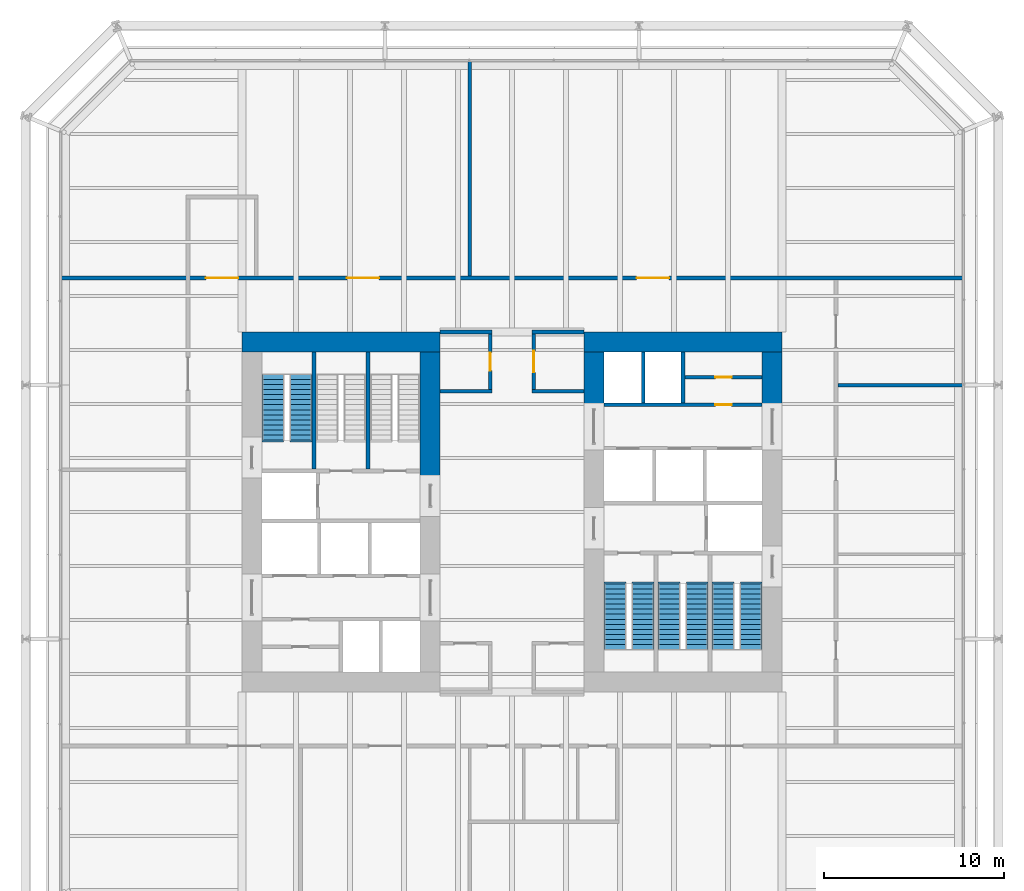
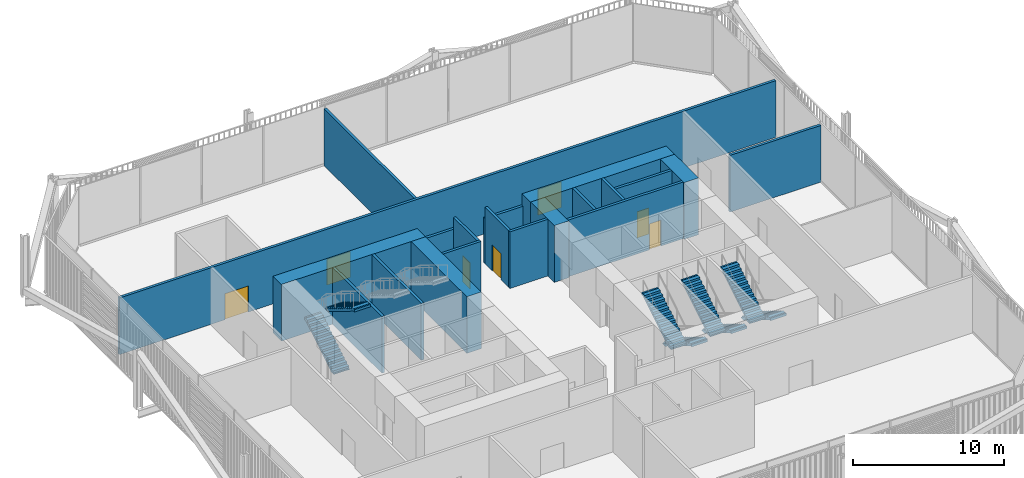
# One storey, part 20 of 22: 20 walls, 8 stair flights, 7 doors, 7 openings, 4 elements without a shape of their own.
"""IFC4 building model written with IfcOpenShell, lengths in metres."""

from ifc_helpers import new_model, si_unit, direction, frame, frame_2d, origin, place, context, subcontext, project, spatial, polyline, rectangle, outline, extrude, material, layer, layer_set, type_object, element, fill, aggregate, save


model = new_model("IFC4")

# Units and contexts
model_context = context("Model", 3, precision=1e-05, world=origin(), true_north=direction((0.0, 1.0)))
body_context = subcontext(model_context, "Body", "Model", "MODEL_VIEW")
ifc_project = project(units=[si_unit("LENGTHUNIT", "METRE"), si_unit("AREAUNIT", "SQUARE_METRE"), si_unit("VOLUMEUNIT", "CUBIC_METRE"), si_unit("PLANEANGLEUNIT", "RADIAN"), si_unit("MASSUNIT", "GRAM", prefix="KILO")], contexts=[model_context])

# Site, building, storey
site_placement = place(None, origin())
site = spatial("IfcSite", under=ifc_project, at=site_placement, CompositionType="ELEMENT")
building_placement = place(site_placement, origin())
building = spatial("IfcBuilding", under=site, at=building_placement, Name="Millrace Tower", CompositionType="ELEMENT")
storey_placement = place(building_placement, frame((0.0, 0.0, 30.5)))
storey = spatial("IfcBuildingStorey", under=building, at=storey_placement, Name="L07", CompositionType="ELEMENT", Elevation=30.5)

# Walls
ifc_material_1 = material(Name="Concrete C80", Category="concrete")
ifc_layer_1 = layer(ifc_material_1, 1.10009765625)
ifc_layer_set_1 = layer_set([ifc_layer_1], Name="Concrete C80")
wall_type_1 = type_object("IfcWallType", Name="Core wall 1100 Concrete C80", PredefinedType="SHEAR", material=ifc_layer_set_1)
wall_1_placement = place(storey_placement, frame((-15.0, 9.449951171875, 0.0), z_axis=(0.0, 0.0, 1.0), x_axis=(1.0, 0.0, 0.0)))
element("IfcWall", 1, at=wall_1_placement, inside=storey, type_object=wall_type_1, Name="Core wall W L07", PredefinedType="SHEAR", context=body_context, shape_type="SweptSolid", body=[
    extrude(rectangle(XDim=11.0, YDim=1.10009765625, at=frame_2d((5.5, 0.0))), origin(), (0.0, 0.0, 1.0), 4.574951171875),
])
wall_2_placement = place(storey_placement, frame((-4.550048828125, 1.550048828125, 0.0), z_axis=(0.0, 0.0, 1.0), x_axis=(0.0, 1.0, 0.0)))
element("IfcWall", 2, at=wall_2_placement, inside=storey, type_object=wall_type_1, Name="Core wall W L07", PredefinedType="SHEAR", context=body_context, shape_type="SweptSolid", body=[
    extrude(rectangle(XDim=7.349853515625, YDim=1.10009765625, at=frame_2d((3.6748046875, 0.0))), origin(), (0.0, 0.0, 1.0), 4.574951171875),
])
wall_3_placement = place(storey_placement, frame((15.0, 9.449951171875, 0.0), z_axis=(0.0, 0.0, 1.0), x_axis=(-1.0, 0.0, 0.0)))
element("IfcWall", 3, at=wall_3_placement, inside=storey, type_object=wall_type_1, Name="Core wall E L07", PredefinedType="SHEAR", context=body_context, shape_type="SweptSolid", body=[
    extrude(rectangle(XDim=11.0, YDim=1.10009765625, at=frame_2d((5.5, 0.0))), origin(), (0.0, 0.0, 1.0), 4.574951171875),
])
for number, where, z_axis, x_axis, name in (
    (4, (14.449951171875, 8.89990234375, 0.0), (0.0, 0.0, 1.0), (0.0, -1.0, 0.0), "Core wall E L07"),
    (5, (4.550048828125, 8.89990234375, 0.0), (0.0, 0.0, 1.0), (0.0, -1.0, 0.0), "Core wall E L07"),
):
    element("IfcWall", number, at=place(storey_placement, frame(where, z_axis=z_axis, x_axis=x_axis)), inside=storey, type_object=wall_type_1, Name=name, PredefinedType="SHEAR", context=body_context, shape_type="SweptSolid", body=[
        extrude(rectangle(XDim=3.14990234375, YDim=1.10009765625, at=frame_2d((1.574951171875, 0.0))), origin(), (0.0, 0.0, 1.0), 4.574951171875),
    ])
ifc_material_2 = material(Name="Masonry partition, fire-rated", Category="masonry")
ifc_layer_2 = layer(ifc_material_2, 0.199951171875)
ifc_layer_set_2 = layer_set([ifc_layer_2], Name="Masonry partition, fire-rated")
wall_type_2 = type_object("IfcWallType", Name="Corridor wall 200", PredefinedType="PARTITIONING", material=ifc_layer_set_2)
for number, where, z_axis, x_axis, name in (
    (6, (-4.0, 6.699951171875, 0.0), (0.0, 0.0, 1.0), (1.0, 0.0, 0.0), "Corridor wall L07"),
    (7, (1.10009765625, 6.699951171875, 0.0), (0.0, 0.0, 1.0), (1.0, 0.0, 0.0), "Corridor wall L07"),
):
    element("IfcWall", number, at=place(storey_placement, frame(where, z_axis=z_axis, x_axis=x_axis)), inside=storey, type_object=wall_type_2, Name=name, PredefinedType="PARTITIONING", context=body_context, shape_type="SweptSolid", body=[
        extrude(rectangle(XDim=2.89990234375, YDim=0.199951171875, at=frame_2d((1.449951171875, 0.0))), origin(), (0.0, 0.0, 1.0), 4.574951171875),
    ])
wall_4_placement = place(storey_placement, frame((18.10009765625, 7.050048828125, 0.0), z_axis=(0.0, 0.0, 1.0), x_axis=(1.0, 0.0, 0.0)))
element("IfcWall", 8, at=wall_4_placement, inside=storey, type_object=wall_type_2, Name="Corridor wall L07", PredefinedType="PARTITIONING", context=body_context, shape_type="SweptSolid", body=[
    extrude(rectangle(XDim=6.929931640625, YDim=0.199951171875, at=frame_2d((3.46484375, 0.0))), origin(), (0.0, 0.0, 1.0), 4.574951171875),
])
for number, where, z_axis, x_axis, name in (
    (9, (-4.0, 10.0, 0.0), (0.0, 0.0, 1.0), (1.0, 0.0, 0.0), "Corridor wall L07"),
    (10, (1.10009765625, 10.0, 0.0), (0.0, 0.0, 1.0), (1.0, 0.0, 0.0), "Corridor wall L07"),
):
    element("IfcWall", number, at=place(storey_placement, frame(where, z_axis=z_axis, x_axis=x_axis)), inside=storey, type_object=wall_type_2, Name=name, PredefinedType="PARTITIONING", context=body_context, shape_type="SweptSolid", body=[
        extrude(rectangle(XDim=2.89990234375, YDim=0.199951171875, at=frame_2d((1.449951171875, 0.0))), origin(), (0.0, 0.0, 1.0), 3.627685546875),
    ])

# Wall, openings, doors
wall_5_placement = place(storey_placement, frame((-25.030029296875, 13.0, 0.0), z_axis=(0.0, 0.0, 1.0), x_axis=(1.0, 0.0, 0.0)))
wall_5 = element("IfcWall", 11, at=wall_5_placement, inside=storey, type_object=wall_type_2, Name="Corridor wall L07", PredefinedType="PARTITIONING", context=body_context, shape_type="SweptSolid", body=[
    extrude(rectangle(XDim=50.06005859375, YDim=0.199951171875, at=frame_2d((25.030029296875, 0.0))), origin(), (0.0, 0.0, 1.0), 4.574951171875),
])
opening_1_placement = place(wall_5_placement, frame((15.85498046875, 0.0, 0.0)))
opening_1 = element("IfcOpeningElement", 12, at=opening_1_placement, cuts=wall_5, Name="Opening 07-P011", PredefinedType="OPENING", context=body_context, shape_type="SweptSolid", body=[
    extrude(rectangle(XDim=1.800048828125, YDim=2.10009765625, at=frame_2d((0.89990234375, 1.050048828125))), frame((0.0, 0.10986328125, 0.0), z_axis=(0.0, -1.0, 0.0), x_axis=(1.0, 0.0, 0.0)), (0.0, 0.0, 1.0), 0.219970703125),
])
opening_2_placement = place(wall_5_placement, frame((8.030029296875, 0.0, 0.0)))
opening_2 = element("IfcOpeningElement", 13, at=opening_2_placement, cuts=wall_5, Name="Opening 07-P012", PredefinedType="OPENING", context=body_context, shape_type="SweptSolid", body=[
    extrude(rectangle(XDim=1.800048828125, YDim=2.10009765625, at=frame_2d((0.89990234375, 1.050048828125))), frame((0.0, 0.10986328125, 0.0), z_axis=(0.0, -1.0, 0.0), x_axis=(1.0, 0.0, 0.0)), (0.0, 0.0, 1.0), 0.219970703125),
])
opening_3_placement = place(wall_5_placement, frame((31.9599609375, 0.0, 0.0)))
opening_3 = element("IfcOpeningElement", 14, at=opening_3_placement, cuts=wall_5, Name="Opening 07-P013", PredefinedType="OPENING", context=body_context, shape_type="SweptSolid", body=[
    extrude(rectangle(XDim=1.800048828125, YDim=2.10009765625, at=frame_2d((0.89990234375, 1.050048828125))), frame((0.0, 0.10986328125, 0.0), z_axis=(0.0, -1.0, 0.0), x_axis=(1.0, 0.0, 0.0)), (0.0, 0.0, 1.0), 0.219970703125),
])
ifc_material_3 = material(Name="Steel door set, fire-rated", Category="steel")
door_type_1 = type_object("IfcDoorType", Name="Data hall door 1800 x 2100", OperationType="DOUBLE_DOOR_SINGLE_SWING", PredefinedType="DOOR", material=ifc_material_3)
door_1_placement = place(opening_1_placement, origin())
door_1 = element("IfcDoor", 15, at=door_1_placement, inside=storey, type_object=door_type_1, Name="Door 07-P011", OperationType="DOUBLE_DOOR_SINGLE_SWING", OverallHeight=2.10009765625, OverallWidth=1.800048828125, PredefinedType="DOOR", context=body_context, shape_type="SweptSolid", body=[
    extrude(rectangle(XDim=1.800048828125, YDim=2.10009765625, at=frame_2d((0.89990234375, 1.050048828125))), frame((0.0, 0.02490234375, 0.0), z_axis=(0.0, -1.0, 0.0), x_axis=(1.0, 0.0, 0.0)), (0.0, 0.0, 1.0), 0.050048828125),
])
fill(opening_1, door_1)
door_2_placement = place(opening_2_placement, origin())
door_2 = element("IfcDoor", 16, at=door_2_placement, inside=storey, type_object=door_type_1, Name="Door 07-P012", OperationType="DOUBLE_DOOR_SINGLE_SWING", OverallHeight=2.10009765625, OverallWidth=1.800048828125, PredefinedType="DOOR", context=body_context, shape_type="SweptSolid", body=[
    extrude(rectangle(XDim=1.800048828125, YDim=2.10009765625, at=frame_2d((0.89990234375, 1.050048828125))), frame((0.0, 0.02490234375, 0.0), z_axis=(0.0, -1.0, 0.0), x_axis=(1.0, 0.0, 0.0)), (0.0, 0.0, 1.0), 0.050048828125),
])
fill(opening_2, door_2)
door_3_placement = place(opening_3_placement, origin())
door_3 = element("IfcDoor", 17, at=door_3_placement, inside=storey, type_object=door_type_1, Name="Door 07-P013", OperationType="DOUBLE_DOOR_SINGLE_SWING", OverallHeight=2.10009765625, OverallWidth=1.800048828125, PredefinedType="DOOR", context=body_context, shape_type="SweptSolid", body=[
    extrude(rectangle(XDim=1.800048828125, YDim=2.10009765625, at=frame_2d((0.89990234375, 1.050048828125))), frame((0.0, 0.02490234375, 0.0), z_axis=(0.0, -1.0, 0.0), x_axis=(1.0, 0.0, 0.0)), (0.0, 0.0, 1.0), 0.050048828125),
])
fill(opening_3, door_3)

# Wall, opening, door
wall_6_placement = place(storey_placement, frame((1.199951171875, 6.800048828125, 0.0), z_axis=(0.0, 0.0, 1.0), x_axis=(0.0, 1.0, 0.0)))
wall_6 = element("IfcWall", 18, at=wall_6_placement, inside=storey, type_object=wall_type_2, Name="Corridor wall L07", PredefinedType="PARTITIONING", context=body_context, shape_type="SweptSolid", body=[
    extrude(rectangle(XDim=3.099853515625, YDim=0.199951171875, at=frame_2d((1.5498046875, 0.0))), origin(), (0.0, 0.0, 1.0), 4.574951171875),
])
opening_4_placement = place(wall_6_placement, frame((0.949951171875, 0.0, 0.0)))
opening_4 = element("IfcOpeningElement", 19, at=opening_4_placement, cuts=wall_6, Name="Opening 07-P002", PredefinedType="OPENING", context=body_context, shape_type="SweptSolid", body=[
    extrude(rectangle(XDim=1.199951171875, YDim=2.10009765625, at=frame_2d((0.60009765625, 1.050048828125))), frame((0.0, 0.10986328125, 0.0), z_axis=(0.0, -1.0, 0.0), x_axis=(1.0, 0.0, 0.0)), (0.0, 0.0, 1.0), 0.219970703125),
])
ifc_material_4 = material(Name="Steel door set, fire-rated", Category="steel")
door_type_2 = type_object("IfcDoorType", Name="Corridor door 1200 x 2100", OperationType="SINGLE_SWING_LEFT", PredefinedType="DOOR", material=ifc_material_4)
door_4_placement = place(opening_4_placement, frame((1.199951171875, 0.0, 0.0), z_axis=(0.0, 0.0, 1.0), x_axis=(-1.0, 0.0, 0.0)))
door_4 = element("IfcDoor", 20, at=door_4_placement, inside=storey, type_object=door_type_2, Name="Door 07-P002", OperationType="SINGLE_SWING_LEFT", OverallHeight=2.10009765625, OverallWidth=1.199951171875, PredefinedType="DOOR", context=body_context, shape_type="SweptSolid", body=[
    extrude(rectangle(XDim=1.199951171875, YDim=2.10009765625, at=frame_2d((0.60009765625, 1.050048828125))), frame((0.0, 0.02490234375, 0.0), z_axis=(0.0, -1.0, 0.0), x_axis=(1.0, 0.0, 0.0)), (0.0, 0.0, 1.0), 0.050048828125),
])
fill(opening_4, door_4)

wall_7_placement = place(storey_placement, frame((-1.199951171875, 6.800048828125, 0.0), z_axis=(0.0, 0.0, 1.0), x_axis=(0.0, 1.0, 0.0)))
wall_7 = element("IfcWall", 21, at=wall_7_placement, inside=storey, type_object=wall_type_2, Name="Corridor wall L07", PredefinedType="PARTITIONING", context=body_context, shape_type="SweptSolid", body=[
    extrude(rectangle(XDim=3.099853515625, YDim=0.199951171875, at=frame_2d((1.5498046875, 0.0))), origin(), (0.0, 0.0, 1.0), 4.574951171875),
])
opening_5_placement = place(wall_7_placement, frame((1.050048828125, 0.0, 0.0)))
opening_5 = element("IfcOpeningElement", 22, at=opening_5_placement, cuts=wall_7, Name="Opening 07-P001", PredefinedType="OPENING", context=body_context, shape_type="SweptSolid", body=[
    extrude(rectangle(XDim=1.0, YDim=2.10009765625, at=frame_2d((0.5, 1.050048828125))), frame((0.0, 0.10986328125, 0.0), z_axis=(0.0, -1.0, 0.0), x_axis=(1.0, 0.0, 0.0)), (0.0, 0.0, 1.0), 0.219970703125),
])
ifc_material_5 = material(Name="Steel door set, fire-rated", Category="steel")
door_type_3 = type_object("IfcDoorType", Name="Corridor door 1000 x 2100", OperationType="SINGLE_SWING_LEFT", PredefinedType="DOOR", material=ifc_material_5)
door_5_placement = place(opening_5_placement, origin())
door_5 = element("IfcDoor", 23, at=door_5_placement, inside=storey, type_object=door_type_3, Name="Door 07-P001", OperationType="SINGLE_SWING_RIGHT", OverallHeight=2.10009765625, OverallWidth=1.0, PredefinedType="DOOR", context=body_context, shape_type="SweptSolid", body=[
    extrude(rectangle(XDim=1.0, YDim=2.10009765625, at=frame_2d((0.5, 1.050048828125))), frame((0.0, 0.02490234375, 0.0), z_axis=(0.0, -1.0, 0.0), x_axis=(1.0, 0.0, 0.0)), (0.0, 0.0, 1.0), 0.050048828125),
])
fill(opening_5, door_5)

# Wall
wall_8_placement = place(storey_placement, frame((-2.35009765625, 13.10009765625, 0.0), z_axis=(0.0, 0.0, 1.0), x_axis=(0.0, 1.0, 0.0)))
element("IfcWall", 24, at=wall_8_placement, inside=storey, type_object=wall_type_2, Name="Corridor wall L07", PredefinedType="PARTITIONING", context=body_context, shape_type="SweptSolid", body=[
    extrude(rectangle(XDim=11.929931640625, YDim=0.199951171875, at=frame_2d((5.96484375, 0.0))), origin(), (0.0, 0.0, 1.0), 4.574951171875),
])

# Wall, opening, door
ifc_material_6 = material(Name="Masonry partition, fire-rated", Category="masonry")
ifc_layer_3 = layer(ifc_material_6, 0.199951171875)
ifc_layer_set_3 = layer_set([ifc_layer_3], Name="Masonry partition, fire-rated")
wall_type_3 = type_object("IfcWallType", Name="Lift shaft wall 200", PredefinedType="PARTITIONING", material=ifc_layer_set_3)
wall_9_placement = place(storey_placement, frame((13.89990234375, 5.949951171875, 0.0), z_axis=(0.0, 0.0, 1.0), x_axis=(-1.0, 0.0, 0.0)))
wall_9 = element("IfcWall", 25, at=wall_9_placement, inside=storey, type_object=wall_type_3, Name="Lift shaft wall E L07", PredefinedType="PARTITIONING", context=body_context, shape_type="SweptSolid", body=[
    extrude(rectangle(XDim=8.7998046875, YDim=0.199951171875, at=frame_2d((4.39990234375, 0.0))), origin(), (0.0, 0.0, 1.0), 4.574951171875),
])
opening_6_placement = place(wall_9_placement, frame((1.699951171875, 0.0, 0.0)))
opening_6 = element("IfcOpeningElement", 26, at=opening_6_placement, cuts=wall_9, Name="Opening 07-C013", PredefinedType="OPENING", context=body_context, shape_type="SweptSolid", body=[
    extrude(rectangle(XDim=0.89990234375, YDim=2.10009765625, at=frame_2d((0.449951171875, 1.050048828125))), frame((0.0, 0.10986328125, 0.0), z_axis=(0.0, -1.0, 0.0), x_axis=(1.0, 0.0, 0.0)), (0.0, 0.0, 1.0), 0.219970703125),
])
ifc_material_7 = material(Name="Steel door, fire-rated", Category="steel")
door_type_4 = type_object("IfcDoorType", Name="Service room door 900 x 2100", OperationType="SINGLE_SWING_LEFT", PredefinedType="DOOR", material=ifc_material_7)
door_6_placement = place(opening_6_placement, origin())
door_6 = element("IfcDoor", 27, at=door_6_placement, inside=storey, type_object=door_type_4, Name="Service room door 07-C013", OperationType="SINGLE_SWING_LEFT", OverallHeight=2.10009765625, OverallWidth=0.89990234375, PredefinedType="DOOR", context=body_context, shape_type="SweptSolid", body=[
    extrude(rectangle(XDim=0.89990234375, YDim=2.10009765625, at=frame_2d((0.449951171875, 1.050048828125))), frame((0.0, 0.02490234375, 0.0), z_axis=(0.0, -1.0, 0.0), x_axis=(1.0, 0.0, 0.0)), (0.0, 0.0, 1.0), 0.050048828125),
])
fill(opening_6, door_6)

# Walls
for number, where, z_axis, x_axis, name in (
    (28, (9.5, 8.89990234375, 0.0), (0.0, 0.0, 1.0), (0.0, -1.0, 0.0), "Lift shaft wall E L07"),
    (29, (7.300048828125, 8.89990234375, 0.0), (0.0, 0.0, 1.0), (0.0, -1.0, 0.0), "Lift shaft wall E L07"),
):
    element("IfcWall", number, at=place(storey_placement, frame(where, z_axis=z_axis, x_axis=x_axis)), inside=storey, type_object=wall_type_3, Name=name, PredefinedType="PARTITIONING", context=body_context, shape_type="SweptSolid", body=[
        extrude(rectangle(XDim=2.849853515625, YDim=0.199951171875, at=frame_2d((1.4248046875, 0.0))), origin(), (0.0, 0.0, 1.0), 4.574951171875),
    ])

# Wall, opening, door
ifc_material_8 = material(Name="Masonry partition, fire-rated", Category="masonry")
ifc_layer_4 = layer(ifc_material_8, 0.199951171875)
ifc_layer_set_4 = layer_set([ifc_layer_4], Name="Masonry partition, fire-rated")
wall_type_4 = type_object("IfcWallType", Name="Room partition 200", PredefinedType="PARTITIONING", material=ifc_layer_set_4)
wall_10_placement = place(storey_placement, frame((13.89990234375, 7.47509765625, 0.0), z_axis=(0.0, 0.0, 1.0), x_axis=(-1.0, 0.0, 0.0)))
wall_10 = element("IfcWall", 30, at=wall_10_placement, inside=storey, type_object=wall_type_4, Name="Room partition E L07", PredefinedType="PARTITIONING", context=body_context, shape_type="SweptSolid", body=[
    extrude(rectangle(XDim=4.2998046875, YDim=0.199951171875, at=frame_2d((2.14990234375, 0.0))), origin(), (0.0, 0.0, 1.0), 4.574951171875),
])
opening_7_placement = place(wall_10_placement, frame((1.699951171875, 0.0, 0.0)))
opening_7 = element("IfcOpeningElement", 31, at=opening_7_placement, cuts=wall_10, Name="Opening 07-C014", PredefinedType="OPENING", context=body_context, shape_type="SweptSolid", body=[
    extrude(rectangle(XDim=0.89990234375, YDim=2.10009765625, at=frame_2d((0.449951171875, 1.050048828125))), frame((0.0, 0.10986328125, 0.0), z_axis=(0.0, -1.0, 0.0), x_axis=(1.0, 0.0, 0.0)), (0.0, 0.0, 1.0), 0.219970703125),
])
door_7_placement = place(opening_7_placement, frame((0.89990234375, 0.0, 0.0), z_axis=(0.0, 0.0, 1.0), x_axis=(-1.0, 0.0, 0.0)))
door_7 = element("IfcDoor", 32, at=door_7_placement, inside=storey, type_object=door_type_4, Name="Service room door 07-C014", OperationType="SINGLE_SWING_RIGHT", OverallHeight=2.10009765625, OverallWidth=0.89990234375, PredefinedType="DOOR", context=body_context, shape_type="SweptSolid", body=[
    extrude(rectangle(XDim=0.89990234375, YDim=2.10009765625, at=frame_2d((0.449951171875, 1.050048828125))), frame((0.0, 0.02490234375, 0.0), z_axis=(0.0, -1.0, 0.0), x_axis=(1.0, 0.0, 0.0)), (0.0, 0.0, 1.0), 0.050048828125),
])
fill(opening_7, door_7)

# Walls
ifc_material_9 = material(Name="Concrete C40", Category="concrete")
ifc_layer_5 = layer(ifc_material_9, 0.199951171875)
ifc_layer_set_5 = layer_set([ifc_layer_5], Name="Concrete C40")
wall_type_5 = type_object("IfcWallType", Name="Stair enclosure wall 200 Concrete C40", PredefinedType="SHEAR", material=ifc_layer_set_5)
for number, where, z_axis, x_axis, name in (
    (33, (-11.0, 2.3798828125, 0.0), (0.0, 0.0, 1.0), (0.0, 1.0, 0.0), "Stair enclosure wall W L07"),
    (34, (-8.0, 2.3798828125, 0.0), (0.0, 0.0, 1.0), (0.0, 1.0, 0.0), "Stair enclosure wall W L07"),
):
    element("IfcWall", number, at=place(storey_placement, frame(where, z_axis=z_axis, x_axis=x_axis)), inside=storey, type_object=wall_type_5, Name=name, PredefinedType="SHEAR", context=body_context, shape_type="SweptSolid", body=[
        extrude(rectangle(XDim=6.52001953125, YDim=0.199951171875, at=frame_2d((3.260009765625, 0.0))), origin(), (0.0, 0.0, 1.0), 4.574951171875),
    ])

# Stair, stair flights
ifc_material_10 = material(Name="Concrete C35", Category="concrete")
stair_type = type_object("IfcStairType", Name="Exit stair", PredefinedType="HALF_TURN_STAIR", material=ifc_material_10)
placement = place(storey_placement, origin())
stair_1 = element("IfcStair", 35, at=placement, inside=storey, type_object=stair_type, Name="Stair 1 W L07", PredefinedType="HALF_TURN_STAIR")
ifc_material_11 = material(Name="Concrete C35", Category="concrete")
stair_flight_type = type_object("IfcStairFlightType", Name="Exit stair flight", PredefinedType="STRAIGHT", material=ifc_material_11)
stair_flight_1_placement = place(storey_placement, frame((-13.2900390625, 4.0, 0.0), z_axis=(0.0, 0.0, 1.0), x_axis=(0.0, 1.0, 0.0)))
stair_flight_1 = element("IfcStairFlight", 36, at=stair_flight_1_placement, type_object=stair_flight_type, Name="ST12 flight 1", NumberOfRisers=14, NumberOfTreads=13, PredefinedType="STRAIGHT", RiserHeight=0.171428571, TreadLength=0.28, context=body_context, shape_type="SweptSolid", body=[
    extrude(outline(polyline([(-0.1201171875, -0.0400390625), (-0.1201171875, 0.0), (0.0, 0.0), (0.0, 0.17138671875), (0.280029296875, 0.17138671875), (0.280029296875, 0.3427734375), (0.56005859375, 0.3427734375), (0.56005859375, 0.514404296875), (0.840087890625, 0.514404296875), (0.840087890625, 0.685791015625), (1.1201171875, 0.685791015625), (1.1201171875, 0.857177734375), (1.39990234375, 0.857177734375), (1.39990234375, 1.028564453125), (1.679931640625, 1.028564453125), (1.679931640625, 1.199951171875), (1.9599609375, 1.199951171875), (1.9599609375, 1.371337890625), (2.239990234375, 1.371337890625), (2.239990234375, 1.54296875), (2.52001953125, 1.54296875), (2.52001953125, 1.71435546875), (2.800048828125, 1.71435546875), (2.800048828125, 1.8857421875), (3.080078125, 1.8857421875), (3.080078125, 2.05712890625), (3.360107421875, 2.05712890625), (3.360107421875, 2.228515625), (3.639892578125, 2.228515625), (3.639892578125, 2.24853515625), (3.760009765625, 2.24853515625), (3.760009765625, 2.052734375), (3.639892578125, 2.052734375), (0.287109375, 0.0), (0.287109375, -0.0400390625), (-0.1201171875, -0.0400390625)])), frame((0.0, 0.60986328125, 0.0), z_axis=(0.0, -1.0, 0.0), x_axis=(1.0, 0.0, 0.0)), (0.0, 0.0, 1.0), 1.219970703125),
])
stair_flight_2_placement = place(storey_placement, frame((-11.7099609375, 7.639892578125, 2.39990234375), z_axis=(0.0, 0.0, 1.0), x_axis=(0.0, -1.0, 0.0)))
stair_flight_2 = element("IfcStairFlight", 37, at=stair_flight_2_placement, type_object=stair_flight_type, Name="ST12 flight 2", NumberOfRisers=14, NumberOfTreads=13, PredefinedType="STRAIGHT", RiserHeight=0.171428571, TreadLength=0.28, context=body_context, shape_type="SweptSolid", body=[
    extrude(outline(polyline([(-0.1201171875, -0.0400390625), (-0.1201171875, 0.0), (0.0, 0.0), (0.0, 0.17138671875), (0.280029296875, 0.17138671875), (0.280029296875, 0.3427734375), (0.56005859375, 0.3427734375), (0.56005859375, 0.514404296875), (0.840087890625, 0.514404296875), (0.840087890625, 0.685791015625), (1.1201171875, 0.685791015625), (1.1201171875, 0.857177734375), (1.39990234375, 0.857177734375), (1.39990234375, 1.028564453125), (1.679931640625, 1.028564453125), (1.679931640625, 1.199951171875), (1.9599609375, 1.199951171875), (1.9599609375, 1.371337890625), (2.239990234375, 1.371337890625), (2.239990234375, 1.54296875), (2.52001953125, 1.54296875), (2.52001953125, 1.71435546875), (2.800048828125, 1.71435546875), (2.800048828125, 1.8857421875), (3.080078125, 1.8857421875), (3.080078125, 2.05712890625), (3.360107421875, 2.05712890625), (3.360107421875, 2.228515625), (3.639892578125, 2.228515625), (3.639892578125, 2.24853515625), (3.760009765625, 2.24853515625), (3.760009765625, 2.052734375), (3.639892578125, 2.052734375), (0.287109375, 0.0), (0.287109375, -0.0400390625), (-0.1201171875, -0.0400390625)])), frame((0.0, 0.60986328125, 0.0), z_axis=(0.0, -1.0, 0.0), x_axis=(1.0, 0.0, 0.0)), (0.0, 0.0, 1.0), 1.219970703125),
])
aggregate(stair_1, [stair_flight_1, stair_flight_2])

stair_2 = element("IfcStair", 38, at=placement, inside=storey, type_object=stair_type, Name="Stair 1 E L07", PredefinedType="HALF_TURN_STAIR")
stair_flight_3_placement = place(storey_placement, frame((13.2900390625, -4.0, 0.0), z_axis=(0.0, 0.0, 1.0), x_axis=(0.0, -1.0, 0.0)))
stair_flight_3 = element("IfcStairFlight", 39, at=stair_flight_3_placement, type_object=stair_flight_type, Name="ST12 flight 1", NumberOfRisers=14, NumberOfTreads=13, PredefinedType="STRAIGHT", RiserHeight=0.171428571, TreadLength=0.28, context=body_context, shape_type="SweptSolid", body=[
    extrude(outline(polyline([(-0.1201171875, -0.0400390625), (-0.1201171875, 0.0), (0.0, 0.0), (0.0, 0.17138671875), (0.280029296875, 0.17138671875), (0.280029296875, 0.3427734375), (0.56005859375, 0.3427734375), (0.56005859375, 0.514404296875), (0.840087890625, 0.514404296875), (0.840087890625, 0.685791015625), (1.1201171875, 0.685791015625), (1.1201171875, 0.857177734375), (1.39990234375, 0.857177734375), (1.39990234375, 1.028564453125), (1.679931640625, 1.028564453125), (1.679931640625, 1.199951171875), (1.9599609375, 1.199951171875), (1.9599609375, 1.371337890625), (2.239990234375, 1.371337890625), (2.239990234375, 1.54296875), (2.52001953125, 1.54296875), (2.52001953125, 1.71435546875), (2.800048828125, 1.71435546875), (2.800048828125, 1.8857421875), (3.080078125, 1.8857421875), (3.080078125, 2.05712890625), (3.360107421875, 2.05712890625), (3.360107421875, 2.228515625), (3.639892578125, 2.228515625), (3.639892578125, 2.24853515625), (3.760009765625, 2.24853515625), (3.760009765625, 2.052734375), (3.639892578125, 2.052734375), (0.287109375, 0.0), (0.287109375, -0.0400390625), (-0.1201171875, -0.0400390625)])), frame((0.0, 0.60986328125, 0.0), z_axis=(0.0, -1.0, 0.0), x_axis=(1.0, 0.0, 0.0)), (0.0, 0.0, 1.0), 1.219970703125),
])
stair_flight_4_placement = place(storey_placement, frame((11.7099609375, -7.639892578125, 2.39990234375), z_axis=(0.0, 0.0, 1.0), x_axis=(0.0, 1.0, 0.0)))
stair_flight_4 = element("IfcStairFlight", 40, at=stair_flight_4_placement, type_object=stair_flight_type, Name="ST12 flight 2", NumberOfRisers=14, NumberOfTreads=13, PredefinedType="STRAIGHT", RiserHeight=0.171428571, TreadLength=0.28, context=body_context, shape_type="SweptSolid", body=[
    extrude(outline(polyline([(-0.1201171875, -0.0400390625), (-0.1201171875, 0.0), (0.0, 0.0), (0.0, 0.17138671875), (0.280029296875, 0.17138671875), (0.280029296875, 0.3427734375), (0.56005859375, 0.3427734375), (0.56005859375, 0.514404296875), (0.840087890625, 0.514404296875), (0.840087890625, 0.685791015625), (1.1201171875, 0.685791015625), (1.1201171875, 0.857177734375), (1.39990234375, 0.857177734375), (1.39990234375, 1.028564453125), (1.679931640625, 1.028564453125), (1.679931640625, 1.199951171875), (1.9599609375, 1.199951171875), (1.9599609375, 1.371337890625), (2.239990234375, 1.371337890625), (2.239990234375, 1.54296875), (2.52001953125, 1.54296875), (2.52001953125, 1.71435546875), (2.800048828125, 1.71435546875), (2.800048828125, 1.8857421875), (3.080078125, 1.8857421875), (3.080078125, 2.05712890625), (3.360107421875, 2.05712890625), (3.360107421875, 2.228515625), (3.639892578125, 2.228515625), (3.639892578125, 2.24853515625), (3.760009765625, 2.24853515625), (3.760009765625, 2.052734375), (3.639892578125, 2.052734375), (0.287109375, 0.0), (0.287109375, -0.0400390625), (-0.1201171875, -0.0400390625)])), frame((0.0, 0.60986328125, 0.0), z_axis=(0.0, -1.0, 0.0), x_axis=(1.0, 0.0, 0.0)), (0.0, 0.0, 1.0), 1.219970703125),
])
aggregate(stair_2, [stair_flight_3, stair_flight_4])

stair_3 = element("IfcStair", 41, at=placement, inside=storey, type_object=stair_type, Name="Stair 2 E L07", PredefinedType="HALF_TURN_STAIR")
stair_flight_5_placement = place(storey_placement, frame((10.2900390625, -4.0, 0.0), z_axis=(0.0, 0.0, 1.0), x_axis=(0.0, -1.0, 0.0)))
stair_flight_5 = element("IfcStairFlight", 42, at=stair_flight_5_placement, type_object=stair_flight_type, Name="ST12 flight 1", NumberOfRisers=14, NumberOfTreads=13, PredefinedType="STRAIGHT", RiserHeight=0.171428571, TreadLength=0.28, context=body_context, shape_type="SweptSolid", body=[
    extrude(outline(polyline([(-0.1201171875, -0.0400390625), (-0.1201171875, 0.0), (0.0, 0.0), (0.0, 0.17138671875), (0.280029296875, 0.17138671875), (0.280029296875, 0.3427734375), (0.56005859375, 0.3427734375), (0.56005859375, 0.514404296875), (0.840087890625, 0.514404296875), (0.840087890625, 0.685791015625), (1.1201171875, 0.685791015625), (1.1201171875, 0.857177734375), (1.39990234375, 0.857177734375), (1.39990234375, 1.028564453125), (1.679931640625, 1.028564453125), (1.679931640625, 1.199951171875), (1.9599609375, 1.199951171875), (1.9599609375, 1.371337890625), (2.239990234375, 1.371337890625), (2.239990234375, 1.54296875), (2.52001953125, 1.54296875), (2.52001953125, 1.71435546875), (2.800048828125, 1.71435546875), (2.800048828125, 1.8857421875), (3.080078125, 1.8857421875), (3.080078125, 2.05712890625), (3.360107421875, 2.05712890625), (3.360107421875, 2.228515625), (3.639892578125, 2.228515625), (3.639892578125, 2.24853515625), (3.760009765625, 2.24853515625), (3.760009765625, 2.052734375), (3.639892578125, 2.052734375), (0.287109375, 0.0), (0.287109375, -0.0400390625), (-0.1201171875, -0.0400390625)])), frame((0.0, 0.60986328125, 0.0), z_axis=(0.0, -1.0, 0.0), x_axis=(1.0, 0.0, 0.0)), (0.0, 0.0, 1.0), 1.219970703125),
])
stair_flight_6_placement = place(storey_placement, frame((8.7099609375, -7.639892578125, 2.39990234375), z_axis=(0.0, 0.0, 1.0), x_axis=(0.0, 1.0, 0.0)))
stair_flight_6 = element("IfcStairFlight", 43, at=stair_flight_6_placement, type_object=stair_flight_type, Name="ST12 flight 2", NumberOfRisers=14, NumberOfTreads=13, PredefinedType="STRAIGHT", RiserHeight=0.171428571, TreadLength=0.28, context=body_context, shape_type="SweptSolid", body=[
    extrude(outline(polyline([(-0.1201171875, -0.0400390625), (-0.1201171875, 0.0), (0.0, 0.0), (0.0, 0.17138671875), (0.280029296875, 0.17138671875), (0.280029296875, 0.3427734375), (0.56005859375, 0.3427734375), (0.56005859375, 0.514404296875), (0.840087890625, 0.514404296875), (0.840087890625, 0.685791015625), (1.1201171875, 0.685791015625), (1.1201171875, 0.857177734375), (1.39990234375, 0.857177734375), (1.39990234375, 1.028564453125), (1.679931640625, 1.028564453125), (1.679931640625, 1.199951171875), (1.9599609375, 1.199951171875), (1.9599609375, 1.371337890625), (2.239990234375, 1.371337890625), (2.239990234375, 1.54296875), (2.52001953125, 1.54296875), (2.52001953125, 1.71435546875), (2.800048828125, 1.71435546875), (2.800048828125, 1.8857421875), (3.080078125, 1.8857421875), (3.080078125, 2.05712890625), (3.360107421875, 2.05712890625), (3.360107421875, 2.228515625), (3.639892578125, 2.228515625), (3.639892578125, 2.24853515625), (3.760009765625, 2.24853515625), (3.760009765625, 2.052734375), (3.639892578125, 2.052734375), (0.287109375, 0.0), (0.287109375, -0.0400390625), (-0.1201171875, -0.0400390625)])), frame((0.0, 0.60986328125, 0.0), z_axis=(0.0, -1.0, 0.0), x_axis=(1.0, 0.0, 0.0)), (0.0, 0.0, 1.0), 1.219970703125),
])
aggregate(stair_3, [stair_flight_5, stair_flight_6])

stair_4 = element("IfcStair", 44, at=placement, inside=storey, type_object=stair_type, Name="Stair 3 E L07", PredefinedType="HALF_TURN_STAIR")
stair_flight_7_placement = place(storey_placement, frame((7.2900390625, -4.0, 0.0), z_axis=(0.0, 0.0, 1.0), x_axis=(0.0, -1.0, 0.0)))
stair_flight_7 = element("IfcStairFlight", 45, at=stair_flight_7_placement, type_object=stair_flight_type, Name="ST12 flight 1", NumberOfRisers=14, NumberOfTreads=13, PredefinedType="STRAIGHT", RiserHeight=0.171428571, TreadLength=0.28, context=body_context, shape_type="SweptSolid", body=[
    extrude(outline(polyline([(-0.1201171875, -0.0400390625), (-0.1201171875, 0.0), (0.0, 0.0), (0.0, 0.17138671875), (0.280029296875, 0.17138671875), (0.280029296875, 0.3427734375), (0.56005859375, 0.3427734375), (0.56005859375, 0.514404296875), (0.840087890625, 0.514404296875), (0.840087890625, 0.685791015625), (1.1201171875, 0.685791015625), (1.1201171875, 0.857177734375), (1.39990234375, 0.857177734375), (1.39990234375, 1.028564453125), (1.679931640625, 1.028564453125), (1.679931640625, 1.199951171875), (1.9599609375, 1.199951171875), (1.9599609375, 1.371337890625), (2.239990234375, 1.371337890625), (2.239990234375, 1.54296875), (2.52001953125, 1.54296875), (2.52001953125, 1.71435546875), (2.800048828125, 1.71435546875), (2.800048828125, 1.8857421875), (3.080078125, 1.8857421875), (3.080078125, 2.05712890625), (3.360107421875, 2.05712890625), (3.360107421875, 2.228515625), (3.639892578125, 2.228515625), (3.639892578125, 2.24853515625), (3.760009765625, 2.24853515625), (3.760009765625, 2.052734375), (3.639892578125, 2.052734375), (0.287109375, 0.0), (0.287109375, -0.0400390625), (-0.1201171875, -0.0400390625)])), frame((0.0, 0.60986328125, 0.0), z_axis=(0.0, -1.0, 0.0), x_axis=(1.0, 0.0, 0.0)), (0.0, 0.0, 1.0), 1.219970703125),
])
stair_flight_8_placement = place(storey_placement, frame((5.7099609375, -7.639892578125, 2.39990234375), z_axis=(0.0, 0.0, 1.0), x_axis=(0.0, 1.0, 0.0)))
stair_flight_8 = element("IfcStairFlight", 46, at=stair_flight_8_placement, type_object=stair_flight_type, Name="ST12 flight 2", NumberOfRisers=14, NumberOfTreads=13, PredefinedType="STRAIGHT", RiserHeight=0.171428571, TreadLength=0.28, context=body_context, shape_type="SweptSolid", body=[
    extrude(outline(polyline([(-0.1201171875, -0.0400390625), (-0.1201171875, 0.0), (0.0, 0.0), (0.0, 0.17138671875), (0.280029296875, 0.17138671875), (0.280029296875, 0.3427734375), (0.56005859375, 0.3427734375), (0.56005859375, 0.514404296875), (0.840087890625, 0.514404296875), (0.840087890625, 0.685791015625), (1.1201171875, 0.685791015625), (1.1201171875, 0.857177734375), (1.39990234375, 0.857177734375), (1.39990234375, 1.028564453125), (1.679931640625, 1.028564453125), (1.679931640625, 1.199951171875), (1.9599609375, 1.199951171875), (1.9599609375, 1.371337890625), (2.239990234375, 1.371337890625), (2.239990234375, 1.54296875), (2.52001953125, 1.54296875), (2.52001953125, 1.71435546875), (2.800048828125, 1.71435546875), (2.800048828125, 1.8857421875), (3.080078125, 1.8857421875), (3.080078125, 2.05712890625), (3.360107421875, 2.05712890625), (3.360107421875, 2.228515625), (3.639892578125, 2.228515625), (3.639892578125, 2.24853515625), (3.760009765625, 2.24853515625), (3.760009765625, 2.052734375), (3.639892578125, 2.052734375), (0.287109375, 0.0), (0.287109375, -0.0400390625), (-0.1201171875, -0.0400390625)])), frame((0.0, 0.60986328125, 0.0), z_axis=(0.0, -1.0, 0.0), x_axis=(1.0, 0.0, 0.0)), (0.0, 0.0, 1.0), 1.219970703125),
])
aggregate(stair_4, [stair_flight_7, stair_flight_8])

save(model, "model.ifc")
